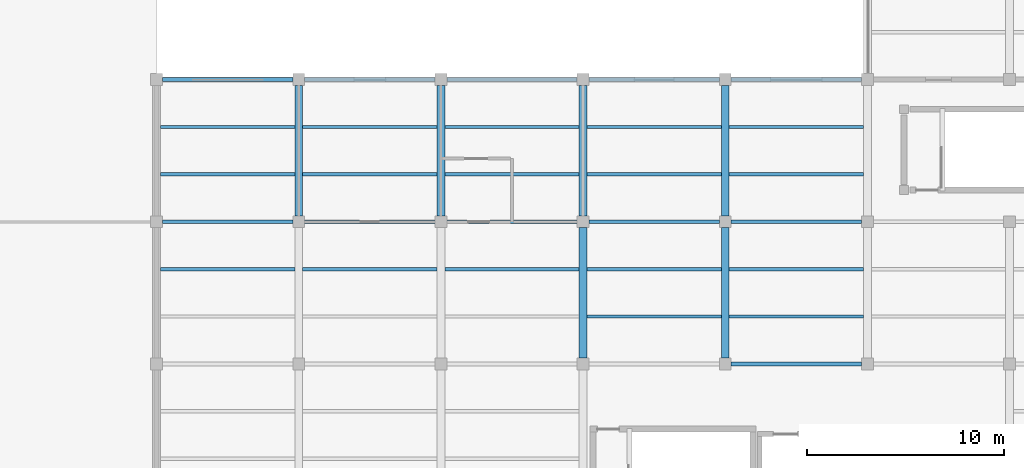
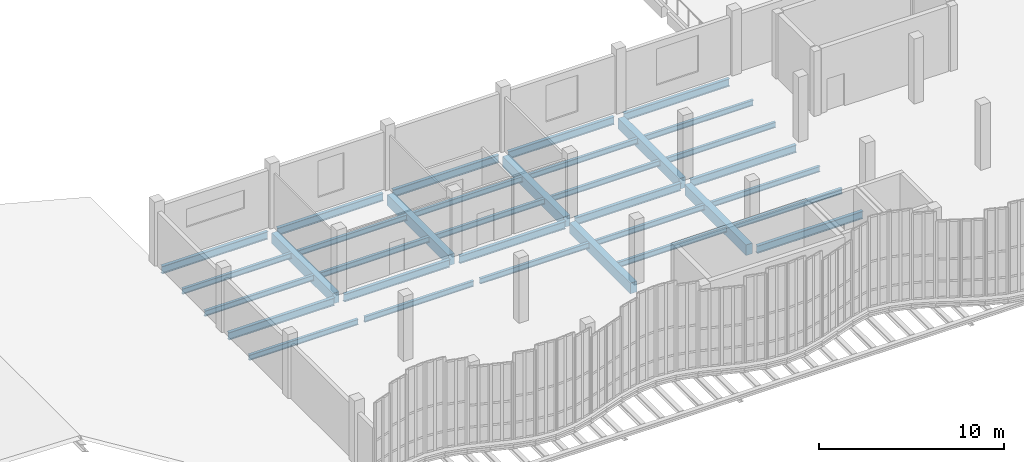
# One storey, part 13 of 76: 34 beams.
"""IFC4 building model written with IfcOpenShell, lengths in metres."""

from ifc_helpers import new_model, si_unit, direction, frame, origin, origin_2d, place, context, subcontext, project, spatial, rectangle, i_section, extrude, material, material_profile, profile_set, type_object, element, save


model = new_model("IFC4")

# Units and contexts
model_context = context("Model", 3, precision=1e-05, world=origin(), true_north=direction((0.0, 1.0)))
body_context = subcontext(model_context, "Body", "Model", "MODEL_VIEW")
ifc_project = project(units=[si_unit("LENGTHUNIT", "METRE"), si_unit("AREAUNIT", "SQUARE_METRE"), si_unit("VOLUMEUNIT", "CUBIC_METRE"), si_unit("PLANEANGLEUNIT", "RADIAN"), si_unit("MASSUNIT", "GRAM", prefix="KILO"), si_unit("THERMODYNAMICTEMPERATUREUNIT", "KELVIN"), si_unit("POWERUNIT", "WATT")], contexts=[model_context])

# Site, building, storey
site_placement = place(None, origin())
site = spatial("IfcSite", under=ifc_project, at=site_placement, CompositionType="ELEMENT")
building_placement = place(site_placement, origin())
building = spatial("IfcBuilding", under=site, at=building_placement, Name="Kaldorven Railside Theatre", CompositionType="ELEMENT")
storey_placement = place(building_placement, frame((0.0, 0.0, 14.39990234375)))
storey = spatial("IfcBuildingStorey", under=building, at=storey_placement, Name="L03", CompositionType="ELEMENT", Elevation=14.39990234375)

# Beams
ifc_material_1 = material(Name="Steel S355", Category="steel")
ifc_material_profile_1 = material_profile(ifc_material_1, i_section(OverallWidth=0.169921875, OverallDepth=0.360107421875, WebThickness=0.008056640625, FlangeThickness=0.0126953125, at=origin_2d()), Name="IPE 360")
ifc_profile_set_1 = profile_set([ifc_material_profile_1], Name="Steel S355")
beam_type_1 = type_object("IfcBeamType", Name="BM-IPE360", PredefinedType="JOIST", material=ifc_profile_set_1)
for number, where, z_axis, x_axis, name in (
    (1, (37.0, 31.199951171875, -0.4599609375), (1.0, 0.0, 0.0), (0.0, 1.0, 0.0), "L03 Secondary Floor Joist JG-L03-036-0312"),
    (2, (44.199951171875, 31.199951171875, -0.4599609375), (1.0, 0.0, 0.0), (0.0, 1.0, 0.0), "L03 Secondary Floor Joist JG-L03-044-0312"),
    (3, (51.39990234375, 31.199951171875, -0.4599609375), (1.0, 0.0, 0.0), (0.0, 1.0, 0.0), "L03 Secondary Floor Joist JG-L03-051-0312"),
):
    element("IfcBeam", number, at=place(storey_placement, frame(where, z_axis=z_axis, x_axis=x_axis)), inside=storey, type_object=beam_type_1, Name=name, PredefinedType="JOIST", context=body_context, shape_type="SweptSolid", body=[
        extrude(i_section(OverallWidth=0.169921875, OverallDepth=0.360107421875, WebThickness=0.008056640625, FlangeThickness=0.0126953125, at=origin_2d()), origin(), (0.0, 0.0, 1.0), 6.800048828125),
    ])
for number, where, z_axis, x_axis, name in (
    (4, (58.60009765625, 28.800048828125, -0.4599609375), (1.0, 0.0, 0.0), (0.0, 1.0, 0.0), "L03 Secondary Floor Joist JG-L03-058-0288"),
    (5, (58.60009765625, 31.199951171875, -0.4599609375), (1.0, 0.0, 0.0), (0.0, 1.0, 0.0), "L03 Secondary Floor Joist JG-L03-058-0312"),
):
    element("IfcBeam", number, at=place(storey_placement, frame(where, z_axis=z_axis, x_axis=x_axis)), inside=storey, type_object=beam_type_1, Name=name, PredefinedType="JOIST", context=body_context, shape_type="SweptSolid", body=[
        extrude(i_section(OverallWidth=0.169921875, OverallDepth=0.360107421875, WebThickness=0.008056640625, FlangeThickness=0.0126953125, at=origin_2d()), origin(), (0.0, 0.0, 1.0), 6.7998046875),
    ])
for number, where, z_axis, x_axis, name in (
    (6, (65.800048828125, 28.800048828125, -0.4599609375), (1.0, 0.0, 0.0), (0.0, 1.0, 0.0), "L03 Secondary Floor Joist JG-L03-065-0288"),
    (7, (65.800048828125, 31.199951171875, -0.4599609375), (1.0, 0.0, 0.0), (0.0, 1.0, 0.0), "L03 Secondary Floor Joist JG-L03-065-0312"),
    (8, (37.0, 36.0, -0.4599609375), (1.0, 0.0, 0.0), (0.0, 1.0, 0.0), "L03 Secondary Floor Joist JG-L03-036-0360"),
    (9, (37.0, 38.39990234375, -0.4599609375), (1.0, 0.0, 0.0), (0.0, 1.0, 0.0), "L03 Secondary Floor Joist JG-L03-036-0384"),
    (10, (44.199951171875, 36.0, -0.4599609375), (1.0, 0.0, 0.0), (0.0, 1.0, 0.0), "L03 Secondary Floor Joist JG-L03-044-0360"),
    (11, (44.199951171875, 38.39990234375, -0.4599609375), (1.0, 0.0, 0.0), (0.0, 1.0, 0.0), "L03 Secondary Floor Joist JG-L03-044-0384"),
    (12, (51.39990234375, 36.0, -0.4599609375), (1.0, 0.0, 0.0), (0.0, 1.0, 0.0), "L03 Secondary Floor Joist JG-L03-051-0360"),
    (13, (51.39990234375, 38.39990234375, -0.4599609375), (1.0, 0.0, 0.0), (0.0, 1.0, 0.0), "L03 Secondary Floor Joist JG-L03-051-0384"),
):
    element("IfcBeam", number, at=place(storey_placement, frame(where, z_axis=z_axis, x_axis=x_axis)), inside=storey, type_object=beam_type_1, Name=name, PredefinedType="JOIST", context=body_context, shape_type="SweptSolid", body=[
        extrude(i_section(OverallWidth=0.169921875, OverallDepth=0.360107421875, WebThickness=0.008056640625, FlangeThickness=0.0126953125, at=origin_2d()), origin(), (0.0, 0.0, 1.0), 6.800048828125),
    ])
for number, where, z_axis, x_axis, name in (
    (14, (58.60009765625, 36.0, -0.4599609375), (1.0, 0.0, 0.0), (0.0, 1.0, 0.0), "L03 Secondary Floor Joist JG-L03-058-0360"),
    (15, (58.60009765625, 38.39990234375, -0.4599609375), (1.0, 0.0, 0.0), (0.0, 1.0, 0.0), "L03 Secondary Floor Joist JG-L03-058-0384"),
):
    element("IfcBeam", number, at=place(storey_placement, frame(where, z_axis=z_axis, x_axis=x_axis)), inside=storey, type_object=beam_type_1, Name=name, PredefinedType="JOIST", context=body_context, shape_type="SweptSolid", body=[
        extrude(i_section(OverallWidth=0.169921875, OverallDepth=0.360107421875, WebThickness=0.008056640625, FlangeThickness=0.0126953125, at=origin_2d()), origin(), (0.0, 0.0, 1.0), 6.7998046875),
    ])
for number, where, z_axis, x_axis, name in (
    (16, (65.800048828125, 36.0, -0.4599609375), (1.0, 0.0, 0.0), (0.0, 1.0, 0.0), "L03 Secondary Floor Joist JG-L03-065-0360"),
    (17, (65.800048828125, 38.39990234375, -0.4599609375), (1.0, 0.0, 0.0), (0.0, 1.0, 0.0), "L03 Secondary Floor Joist JG-L03-065-0384"),
):
    element("IfcBeam", number, at=place(storey_placement, frame(where, z_axis=z_axis, x_axis=x_axis)), inside=storey, type_object=beam_type_1, Name=name, PredefinedType="JOIST", context=body_context, shape_type="SweptSolid", body=[
        extrude(i_section(OverallWidth=0.169921875, OverallDepth=0.360107421875, WebThickness=0.008056640625, FlangeThickness=0.0126953125, at=origin_2d()), origin(), (0.0, 0.0, 1.0), 6.800048828125),
    ])
ifc_material_profile_2 = material_profile(ifc_material_1, i_section(OverallWidth=0.199951171875, OverallDepth=0.5, WebThickness=0.01025390625, FlangeThickness=0.01611328125, at=origin_2d()), Name="IPE 500")
ifc_profile_set_2 = profile_set([ifc_material_profile_2], Name="Steel S355")
beam_type_2 = type_object("IfcBeamType", Name="BM-IPE500", PredefinedType="BEAM", material=ifc_profile_set_2)
beam_placement = place(storey_placement, frame((65.89990234375, 26.39990234375, -0.52978515625), z_axis=(1.0, 0.0, 0.0), x_axis=(0.0, 1.0, 0.0)))
element("IfcBeam", 18, at=beam_placement, inside=storey, type_object=beam_type_2, Name="L03 Girder BGX-L03-065-026", PredefinedType="BEAM", context=body_context, shape_type="SweptSolid", body=[
    extrude(i_section(OverallWidth=0.199951171875, OverallDepth=0.5, WebThickness=0.01025390625, FlangeThickness=0.01611328125, at=origin_2d()), origin(), (0.0, 0.0, 1.0), 6.60009765625),
])
for number, where, z_axis, x_axis, name in (
    (19, (37.10009765625, 33.60009765625, -0.52978515625), (1.0, 0.0, 0.0), (0.0, 1.0, 0.0), "L03 Girder BGX-L03-036-033"),
    (20, (44.300048828125, 33.60009765625, -0.52978515625), (1.0, 0.0, 0.0), (0.0, 1.0, 0.0), "L03 Girder BGX-L03-044-033"),
):
    element("IfcBeam", number, at=place(storey_placement, frame(where, z_axis=z_axis, x_axis=x_axis)), inside=storey, type_object=beam_type_2, Name=name, PredefinedType="BEAM", context=body_context, shape_type="SweptSolid", body=[
        extrude(i_section(OverallWidth=0.199951171875, OverallDepth=0.5, WebThickness=0.01025390625, FlangeThickness=0.01611328125, at=origin_2d()), origin(), (0.0, 0.0, 1.0), 6.599853515625),
    ])
for number, where, z_axis, x_axis, name in (
    (21, (51.5, 33.60009765625, -0.52978515625), (1.0, 0.0, 0.0), (0.0, 1.0, 0.0), "L03 Girder BGX-L03-051-033"),
    (22, (58.699951171875, 33.60009765625, -0.52978515625), (1.0, 0.0, 0.0), (0.0, 1.0, 0.0), "L03 Girder BGX-L03-058-033"),
    (23, (65.89990234375, 33.60009765625, -0.52978515625), (1.0, 0.0, 0.0), (0.0, 1.0, 0.0), "L03 Girder BGX-L03-065-033"),
):
    element("IfcBeam", number, at=place(storey_placement, frame(where, z_axis=z_axis, x_axis=x_axis)), inside=storey, type_object=beam_type_2, Name=name, PredefinedType="BEAM", context=body_context, shape_type="SweptSolid", body=[
        extrude(i_section(OverallWidth=0.199951171875, OverallDepth=0.5, WebThickness=0.01025390625, FlangeThickness=0.01611328125, at=origin_2d()), origin(), (0.0, 0.0, 1.0), 6.60009765625),
    ])
for number, where, z_axis, x_axis, name in (
    (24, (37.10009765625, 40.800048828125, -0.52978515625), (1.0, 0.0, 0.0), (0.0, 1.0, 0.0), "L03 Girder BGX-L03-036-040"),
    (25, (44.300048828125, 40.800048828125, -0.52978515625), (1.0, 0.0, 0.0), (0.0, 1.0, 0.0), "L03 Girder BGX-L03-044-040"),
):
    element("IfcBeam", number, at=place(storey_placement, frame(where, z_axis=z_axis, x_axis=x_axis)), inside=storey, type_object=beam_type_2, Name=name, PredefinedType="BEAM", context=body_context, shape_type="SweptSolid", body=[
        extrude(i_section(OverallWidth=0.199951171875, OverallDepth=0.5, WebThickness=0.01025390625, FlangeThickness=0.01611328125, at=origin_2d()), origin(), (0.0, 0.0, 1.0), 6.599853515625),
    ])
for number, where, z_axis, x_axis, name in (
    (26, (51.5, 40.800048828125, -0.52978515625), (1.0, 0.0, 0.0), (0.0, 1.0, 0.0), "L03 Girder BGX-L03-051-040"),
    (27, (58.699951171875, 40.800048828125, -0.52978515625), (1.0, 0.0, 0.0), (0.0, 1.0, 0.0), "L03 Girder BGX-L03-058-040"),
    (28, (65.89990234375, 40.800048828125, -0.52978515625), (1.0, 0.0, 0.0), (0.0, 1.0, 0.0), "L03 Girder BGX-L03-065-040"),
):
    element("IfcBeam", number, at=place(storey_placement, frame(where, z_axis=z_axis, x_axis=x_axis)), inside=storey, type_object=beam_type_2, Name=name, PredefinedType="BEAM", context=body_context, shape_type="SweptSolid", body=[
        extrude(i_section(OverallWidth=0.199951171875, OverallDepth=0.5, WebThickness=0.01025390625, FlangeThickness=0.01611328125, at=origin_2d()), origin(), (0.0, 0.0, 1.0), 6.60009765625),
    ])
ifc_material_2 = material(Name="Concrete C40/50", Category="concrete")
ifc_material_profile_3 = material_profile(ifc_material_2, rectangle(XDim=0.39990234375, YDim=0.699951171875, at=origin_2d()), Name="RC 400x700")
ifc_profile_set_3 = profile_set([ifc_material_profile_3], Name="Concrete C40/50")
beam_type_3 = type_object("IfcBeamType", Name="BM-RC400x700", PredefinedType="BEAM", material=ifc_profile_set_3)
for number, where, z_axis, x_axis, name in (
    (29, (58.39990234375, 26.699951171875, -0.6298828125), (0.0, 1.0, 0.0), (-1.0, 0.0, 0.0), "L03 Girder BGY-L03-058-026-72"),
    (30, (65.60009765625, 26.699951171875, -0.6298828125), (0.0, 1.0, 0.0), (-1.0, 0.0, 0.0), "L03 Girder BGY-L03-065-026-72"),
    (31, (44.0, 33.89990234375, -0.6298828125), (0.0, 1.0, 0.0), (-1.0, 0.0, 0.0), "L03 Girder BGY-L03-044-033-72"),
    (32, (51.199951171875, 33.89990234375, -0.6298828125), (0.0, 1.0, 0.0), (-1.0, 0.0, 0.0), "L03 Girder BGY-L03-051-033-72"),
    (33, (58.39990234375, 33.89990234375, -0.6298828125), (0.0, 1.0, 0.0), (-1.0, 0.0, 0.0), "L03 Girder BGY-L03-058-033-72"),
    (34, (65.60009765625, 33.89990234375, -0.6298828125), (0.0, 1.0, 0.0), (-1.0, 0.0, 0.0), "L03 Girder BGY-L03-065-033-72"),
):
    element("IfcBeam", number, at=place(storey_placement, frame(where, z_axis=z_axis, x_axis=x_axis)), inside=storey, type_object=beam_type_3, Name=name, PredefinedType="BEAM", context=body_context, shape_type="SweptSolid", body=[
        extrude(rectangle(XDim=0.39990234375, YDim=0.699951171875, at=origin_2d()), origin(), (0.0, 0.0, 1.0), 6.60009765625),
    ])

save(model, "model.ifc")
